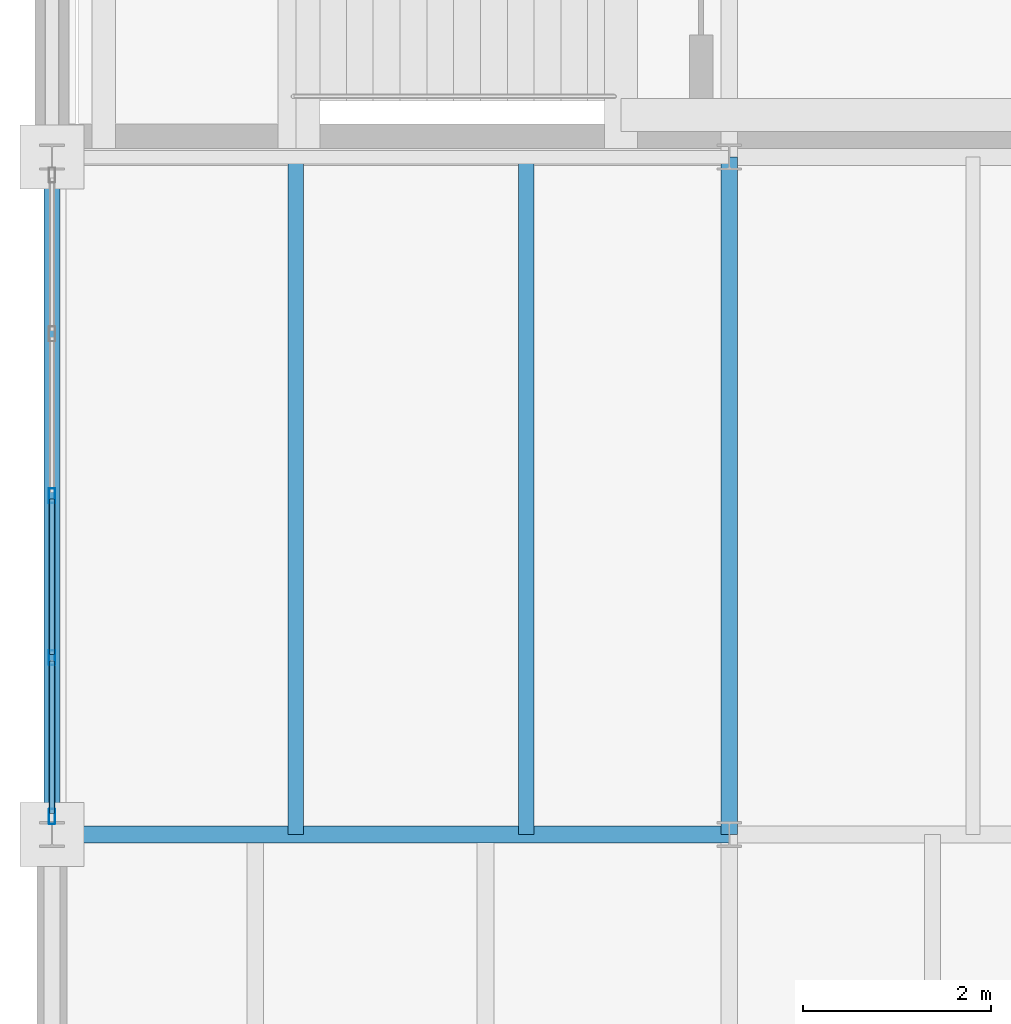
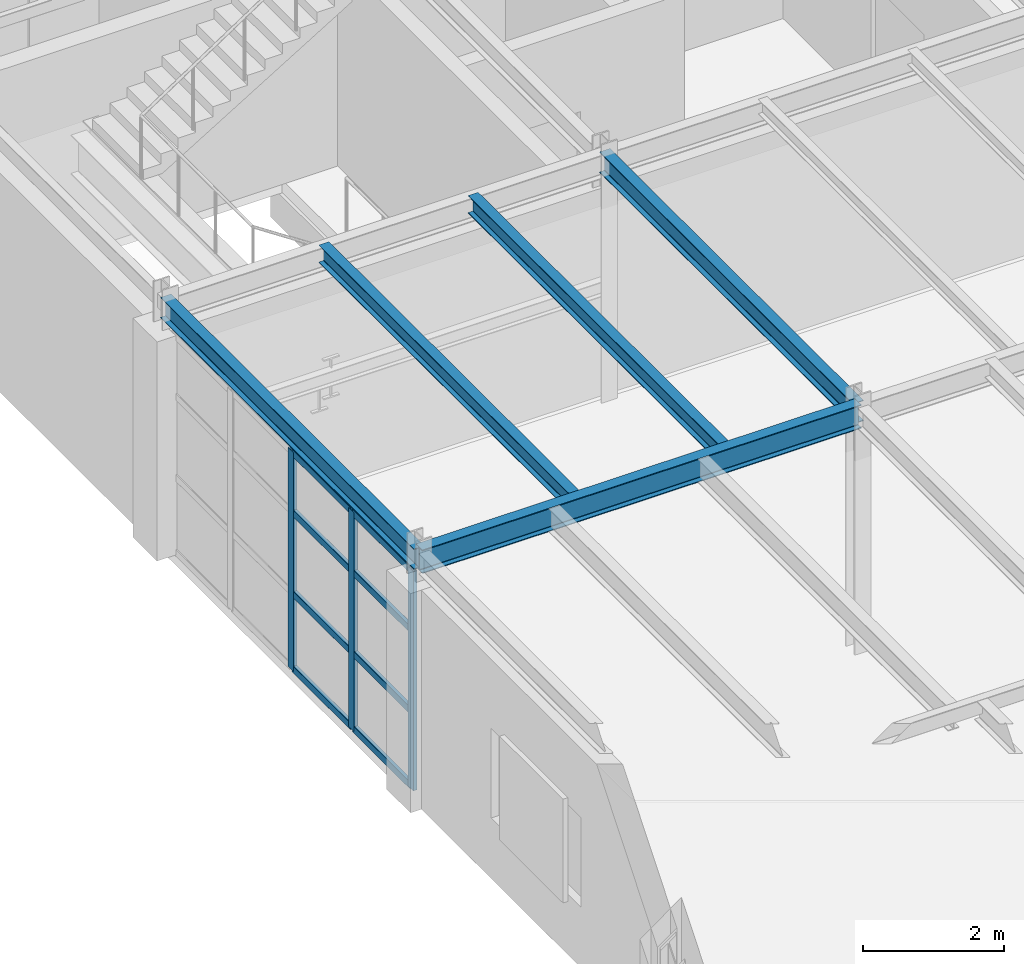
# One storey, part 36 of 101: 11 members, 5 beams, 1 element without a shape of its own.
"""IFC4 building model written with IfcOpenShell, lengths in metres."""

from ifc_helpers import new_model, si_unit, direction, frame, origin, origin_2d, place, context, subcontext, project, spatial, hollow_rectangle, i_section, extrude, material, layer, layer_set, material_profile, profile_set, type_object, element, aggregate, save


model = new_model("IFC4")

# Units and contexts
model_context = context("Model", 3, precision=1e-05, world=origin(), true_north=direction((0.0, 1.0)))
body_context = subcontext(model_context, "Body", "Model", "MODEL_VIEW")
ifc_project = project(units=[si_unit("LENGTHUNIT", "METRE"), si_unit("AREAUNIT", "SQUARE_METRE"), si_unit("VOLUMEUNIT", "CUBIC_METRE"), si_unit("PLANEANGLEUNIT", "RADIAN"), si_unit("MASSUNIT", "GRAM", prefix="KILO")], contexts=[model_context])

# Site, building, storey
site_placement = place(None, origin())
site = spatial("IfcSite", under=ifc_project, at=site_placement, CompositionType="ELEMENT")
building_placement = place(site_placement, origin())
building = spatial("IfcBuilding", under=site, at=building_placement, Name="Kemerveld Promenade Tramway Depot", CompositionType="ELEMENT")
storey_placement = place(building_placement, frame((0.0, 0.0, 9.89990234375)))
storey = spatial("IfcBuildingStorey", under=building, at=storey_placement, Name="L02", CompositionType="ELEMENT", Elevation=9.89990234375)

# Beams
ifc_material_1 = material(Name="Steel S355", Category="steel")
ifc_material_profile_1 = material_profile(ifc_material_1, i_section(OverallWidth=0.1787109375, OverallDepth=0.409423828125, WebThickness=0.0087890625, FlangeThickness=0.014404296875, FilletRadius=0.01025390625, at=origin_2d()), Name="406x178x67 UB")
ifc_profile_set_1 = profile_set([ifc_material_profile_1], Name="Steel S355")
beam_type_1 = type_object("IfcBeamType", Name="BM-G07", PredefinedType="BEAM", material=ifc_profile_set_1)
beam_placement = place(storey_placement, frame((0.0, 36.0, 4.080322265625), z_axis=(1.0, 0.0, 0.0), x_axis=(0.0, 1.0, 0.0)))
element("IfcBeam", 1, at=beam_placement, inside=storey, type_object=beam_type_1, Name="BMX-L02-01-02-F", PredefinedType="BEAM", context=body_context, shape_type="SweptSolid", body=[
    extrude(i_section(OverallWidth=0.1787109375, OverallDepth=0.409423828125, WebThickness=0.0087890625, FlangeThickness=0.014404296875, FilletRadius=0.01025390625, at=origin_2d()), origin(), (0.0, 0.0, 1.0), 7.199951171875),
])
ifc_material_profile_2 = material_profile(ifc_material_1, i_section(OverallWidth=0.172119140625, OverallDepth=0.35791015625, WebThickness=0.008056640625, FlangeThickness=0.012939453125, FilletRadius=0.01025390625, at=origin_2d()), Name="356x171x57 UB")
ifc_profile_set_2 = profile_set([ifc_material_profile_2], Name="Steel S355")
beam_type_2 = type_object("IfcBeamType", Name="BM-G08", PredefinedType="BEAM", material=ifc_profile_set_2)
for number, where, z_axis, x_axis, name in (
    (2, (0.0, 36.0, 4.10107421875), (0.0, 1.0, 0.0), (-1.0, 0.0, 0.0), "BMY-L02-01-F-G"),
    (3, (7.199951171875, 36.0, 4.10107421875), (0.0, 1.0, 0.0), (-1.0, 0.0, 0.0), "BMY-L02-02-F-G"),
):
    element("IfcBeam", number, at=place(storey_placement, frame(where, z_axis=z_axis, x_axis=x_axis)), inside=storey, type_object=beam_type_2, Name=name, PredefinedType="BEAM", context=body_context, shape_type="SweptSolid", body=[
        extrude(i_section(OverallWidth=0.172119140625, OverallDepth=0.35791015625, WebThickness=0.008056640625, FlangeThickness=0.012939453125, FilletRadius=0.01025390625, at=origin_2d()), origin(), (0.0, 0.0, 1.0), 7.199951171875),
    ])
ifc_material_profile_3 = material_profile(ifc_material_1, i_section(OverallWidth=0.165771484375, OverallDepth=0.306640625, WebThickness=0.006591796875, FlangeThickness=0.01171875, FilletRadius=0.0087890625, at=origin_2d()), Name="305x165x46 UB")
ifc_profile_set_3 = profile_set([ifc_material_profile_3], Name="Steel S355")
beam_type_3 = type_object("IfcBeamType", Name="BM-J01", PredefinedType="JOIST", material=ifc_profile_set_3)
for number, where, z_axis, x_axis, name in (
    (4, (2.592041015625, 36.0, 4.126708984375), (0.0, 1.0, 0.0), (-1.0, 0.0, 0.0), "JST-L02-01-F-1"),
    (5, (5.0400390625, 36.0, 4.126708984375), (0.0, 1.0, 0.0), (-1.0, 0.0, 0.0), "JST-L02-01-F-2"),
):
    element("IfcBeam", number, at=place(storey_placement, frame(where, z_axis=z_axis, x_axis=x_axis)), inside=storey, type_object=beam_type_3, Name=name, PredefinedType="JOIST", context=body_context, shape_type="SweptSolid", body=[
        extrude(i_section(OverallWidth=0.165771484375, OverallDepth=0.306640625, WebThickness=0.006591796875, FlangeThickness=0.01171875, FilletRadius=0.0087890625, at=origin_2d()), origin(), (0.0, 0.0, 1.0), 7.199951171875),
    ])

# Curtain wall, members
ifc_material_2 = material(Name="Bronze anodised aluminium and solar glass", Category="aluminium")
ifc_layer = layer(ifc_material_2, 0.159912109375)
ifc_layer_set = layer_set([ifc_layer], Name="CW-SYS-09")
curtain_wall_type = type_object("IfcCurtainWallType", Name="CW-SYS-09", PredefinedType="USERDEFINED", material=ifc_layer_set)
curtain_wall_placement = place(storey_placement, origin())
curtain_wall = element("IfcCurtainWall", 6, at=curtain_wall_placement, inside=storey, type_object=curtain_wall_type, Name="CW-L02-V5W-06", ObjectType="GLAZED_CURTAIN_WALL", PredefinedType="USERDEFINED")
ifc_material_3 = material(Name="Bronze anodised aluminium", Category="aluminium")
ifc_material_profile_4 = material_profile(ifc_material_3, hollow_rectangle(XDim=0.06494140625, YDim=0.159912109375, WallThickness=0.00390625, InnerFilletRadius=0.001953125, OuterFilletRadius=0.00390625, at=origin_2d()), Name="CW-MUL-160x65")
ifc_profile_set_4 = profile_set([ifc_material_profile_4], Name="Bronze anodised aluminium")
member_type_1 = type_object("IfcMemberType", Name="CW-MUL-A", PredefinedType="MULLION", material=ifc_profile_set_4)
member_1_placement = place(storey_placement, frame((0.0, 36.190673828125, 0.0), z_axis=(0.0, 0.0, 1.0), x_axis=(-1.0, 0.0, 0.0)))
member_1 = element("IfcMember", 7, at=member_1_placement, type_object=member_type_1, Name="CW09 mullion 1", PredefinedType="MULLION", context=body_context, shape_type="SweptSolid", body=[
    extrude(hollow_rectangle(XDim=0.06494140625, YDim=0.159912109375, WallThickness=0.00390625, InnerFilletRadius=0.001953125, OuterFilletRadius=0.00390625, at=origin_2d()), origin(), (0.0, 0.0, 1.0), 3.800048828125),
])
member_2_placement = place(storey_placement, frame((0.0, 37.879150390625, 0.0), z_axis=(0.0, 0.0, 1.0), x_axis=(-1.0, 0.0, 0.0)))
member_2 = element("IfcMember", 8, at=member_2_placement, type_object=member_type_1, Name="CW09 mullion 2", PredefinedType="MULLION", context=body_context, shape_type="SweptSolid", body=[
    extrude(hollow_rectangle(XDim=0.06494140625, YDim=0.159912109375, WallThickness=0.00390625, InnerFilletRadius=0.001953125, OuterFilletRadius=0.00390625, at=origin_2d()), origin(), (0.0, 0.0, 1.0), 3.800048828125),
])
member_3_placement = place(storey_placement, frame((0.0, 39.60009765625, 0.0), z_axis=(0.0, 0.0, 1.0), x_axis=(-1.0, 0.0, 0.0)))
member_3 = element("IfcMember", 9, at=member_3_placement, type_object=member_type_1, Name="CW09 mullion 3", PredefinedType="MULLION", context=body_context, shape_type="SweptSolid", body=[
    extrude(hollow_rectangle(XDim=0.06494140625, YDim=0.159912109375, WallThickness=0.00390625, InnerFilletRadius=0.001953125, OuterFilletRadius=0.00390625, at=origin_2d()), origin(), (0.0, 0.0, 1.0), 3.800048828125),
])
ifc_material_profile_5 = material_profile(ifc_material_3, hollow_rectangle(XDim=0.06005859375, YDim=0.1201171875, WallThickness=0.00390625, InnerFilletRadius=0.001953125, OuterFilletRadius=0.00390625, at=origin_2d()), Name="CW-TRN-120x60")
ifc_profile_set_5 = profile_set([ifc_material_profile_5], Name="Bronze anodised aluminium")
member_type_2 = type_object("IfcMemberType", Name="CW-TRN-A", PredefinedType="USERDEFINED", material=ifc_profile_set_5)
member_4_placement = place(storey_placement, frame((0.0, 36.22314453125, 0.030029296875), z_axis=(0.0, 1.0, 0.0), x_axis=(-1.0, 0.0, 0.0)))
member_4 = element("IfcMember", 10, at=member_4_placement, type_object=member_type_2, Name="CW09 transom 1.1", ObjectType="TRANSOM", PredefinedType="USERDEFINED", context=body_context, shape_type="SweptSolid", body=[
    extrude(hollow_rectangle(XDim=0.06005859375, YDim=0.1201171875, WallThickness=0.00390625, InnerFilletRadius=0.001953125, OuterFilletRadius=0.00390625, at=origin_2d()), origin(), (0.0, 0.0, 1.0), 1.623291015625),
])
member_5_placement = place(storey_placement, frame((0.0, 36.22314453125, 1.330078125), z_axis=(0.0, 1.0, 0.0), x_axis=(-1.0, 0.0, 0.0)))
member_5 = element("IfcMember", 11, at=member_5_placement, type_object=member_type_2, Name="CW09 transom 1.2", ObjectType="TRANSOM", PredefinedType="USERDEFINED", context=body_context, shape_type="SweptSolid", body=[
    extrude(hollow_rectangle(XDim=0.06005859375, YDim=0.1201171875, WallThickness=0.00390625, InnerFilletRadius=0.001953125, OuterFilletRadius=0.00390625, at=origin_2d()), origin(), (0.0, 0.0, 1.0), 1.623291015625),
])
member_6_placement = place(storey_placement, frame((0.0, 36.22314453125, 2.736083984375), z_axis=(0.0, 1.0, 0.0), x_axis=(-1.0, 0.0, 0.0)))
member_6 = element("IfcMember", 12, at=member_6_placement, type_object=member_type_2, Name="CW09 transom 1.3", ObjectType="TRANSOM", PredefinedType="USERDEFINED", context=body_context, shape_type="SweptSolid", body=[
    extrude(hollow_rectangle(XDim=0.06005859375, YDim=0.1201171875, WallThickness=0.00390625, InnerFilletRadius=0.001953125, OuterFilletRadius=0.00390625, at=origin_2d()), origin(), (0.0, 0.0, 1.0), 1.623291015625),
])
member_7_placement = place(storey_placement, frame((0.0, 36.22314453125, 3.77001953125), z_axis=(0.0, 1.0, 0.0), x_axis=(-1.0, 0.0, 0.0)))
member_7 = element("IfcMember", 13, at=member_7_placement, type_object=member_type_2, Name="CW09 transom 1.4", ObjectType="TRANSOM", PredefinedType="USERDEFINED", context=body_context, shape_type="SweptSolid", body=[
    extrude(hollow_rectangle(XDim=0.06005859375, YDim=0.1201171875, WallThickness=0.00390625, InnerFilletRadius=0.001953125, OuterFilletRadius=0.00390625, at=origin_2d()), origin(), (0.0, 0.0, 1.0), 1.623291015625),
])
member_8_placement = place(storey_placement, frame((0.0, 37.91162109375, 0.030029296875), z_axis=(0.0, 1.0, 0.0), x_axis=(-1.0, 0.0, 0.0)))
member_8 = element("IfcMember", 14, at=member_8_placement, type_object=member_type_2, Name="CW09 transom 2.1", ObjectType="TRANSOM", PredefinedType="USERDEFINED", context=body_context, shape_type="SweptSolid", body=[
    extrude(hollow_rectangle(XDim=0.06005859375, YDim=0.1201171875, WallThickness=0.00390625, InnerFilletRadius=0.001953125, OuterFilletRadius=0.00390625, at=origin_2d()), origin(), (0.0, 0.0, 1.0), 1.65576171875),
])
member_9_placement = place(storey_placement, frame((0.0, 37.91162109375, 1.330078125), z_axis=(0.0, 1.0, 0.0), x_axis=(-1.0, 0.0, 0.0)))
member_9 = element("IfcMember", 15, at=member_9_placement, type_object=member_type_2, Name="CW09 transom 2.2", ObjectType="TRANSOM", PredefinedType="USERDEFINED", context=body_context, shape_type="SweptSolid", body=[
    extrude(hollow_rectangle(XDim=0.06005859375, YDim=0.1201171875, WallThickness=0.00390625, InnerFilletRadius=0.001953125, OuterFilletRadius=0.00390625, at=origin_2d()), origin(), (0.0, 0.0, 1.0), 1.65576171875),
])
member_10_placement = place(storey_placement, frame((0.0, 37.91162109375, 2.736083984375), z_axis=(0.0, 1.0, 0.0), x_axis=(-1.0, 0.0, 0.0)))
member_10 = element("IfcMember", 16, at=member_10_placement, type_object=member_type_2, Name="CW09 transom 2.3", ObjectType="TRANSOM", PredefinedType="USERDEFINED", context=body_context, shape_type="SweptSolid", body=[
    extrude(hollow_rectangle(XDim=0.06005859375, YDim=0.1201171875, WallThickness=0.00390625, InnerFilletRadius=0.001953125, OuterFilletRadius=0.00390625, at=origin_2d()), origin(), (0.0, 0.0, 1.0), 1.65576171875),
])
member_11_placement = place(storey_placement, frame((0.0, 37.91162109375, 3.77001953125), z_axis=(0.0, 1.0, 0.0), x_axis=(-1.0, 0.0, 0.0)))
member_11 = element("IfcMember", 17, at=member_11_placement, type_object=member_type_2, Name="CW09 transom 2.4", ObjectType="TRANSOM", PredefinedType="USERDEFINED", context=body_context, shape_type="SweptSolid", body=[
    extrude(hollow_rectangle(XDim=0.06005859375, YDim=0.1201171875, WallThickness=0.00390625, InnerFilletRadius=0.001953125, OuterFilletRadius=0.00390625, at=origin_2d()), origin(), (0.0, 0.0, 1.0), 1.65576171875),
])
aggregate(curtain_wall, [member_1, member_2, member_3, member_4, member_5, member_6, member_7, member_8, member_9, member_10, member_11])

save(model, "model.ifc")
